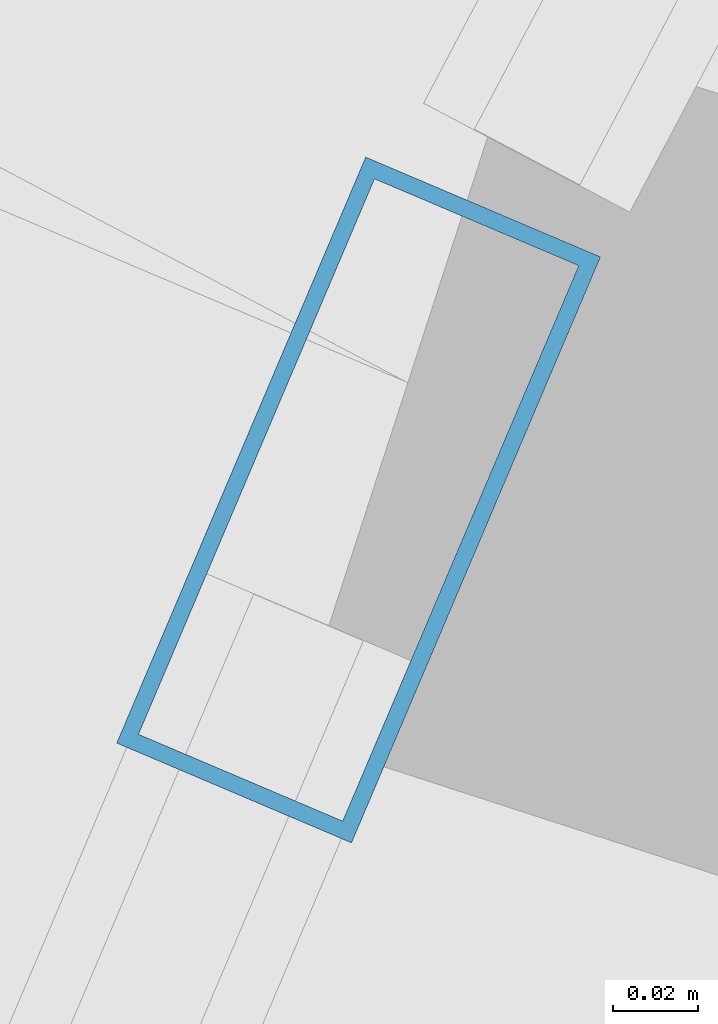
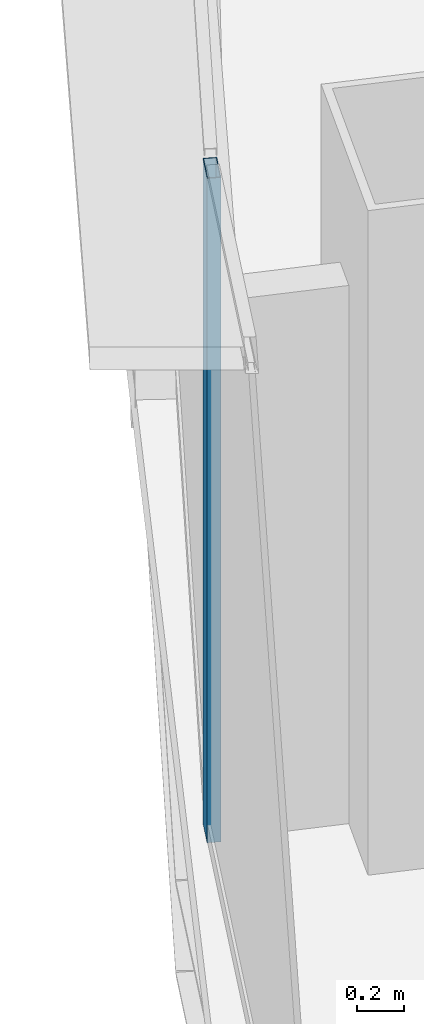
# One storey, part 8 of 39: 1 member, 1 element without a shape of its own.
"""IFC4 building model written with IfcOpenShell, lengths in metres."""

from ifc_helpers import new_model, si_unit, direction, frame, origin, origin_2d, place, context, subcontext, project, spatial, hollow_rectangle, extrude, source, transform, mapped, material, layer, layer_set, material_profile, profile_set, type_object, element, aggregate, save


model = new_model("IFC4")

# Units and contexts
model_context = context("Model", 3, precision=1e-05, world=origin(), true_north=direction((0.0, 1.0)))
body_context = subcontext(model_context, "Body", "Model", "MODEL_VIEW")
ifc_project = project(units=[si_unit("LENGTHUNIT", "METRE"), si_unit("AREAUNIT", "SQUARE_METRE"), si_unit("VOLUMEUNIT", "CUBIC_METRE"), si_unit("PLANEANGLEUNIT", "RADIAN"), si_unit("MASSUNIT", "GRAM", prefix="KILO"), si_unit("THERMODYNAMICTEMPERATUREUNIT", "KELVIN"), si_unit("POWERUNIT", "WATT")], contexts=[model_context])

# Site, building, storey
site_placement = place(None, origin())
site = spatial("IfcSite", under=ifc_project, at=site_placement, CompositionType="ELEMENT")
building_placement = place(site_placement, origin())
building = spatial("IfcBuilding", under=site, at=building_placement, Name="Yunzhuo Pagoda Commons", CompositionType="ELEMENT")
storey_placement = place(building_placement, frame((0.0, 0.0, 162.949951171875)))
storey = spatial("IfcBuildingStorey", under=building, at=storey_placement, Name="L41", CompositionType="ELEMENT", Elevation=162.949951171875)

# Curtain wall, member
ifc_material = material(Name="Anodized aluminium 6063-T6", Category="aluminium")
ifc_layer = layer(ifc_material, 0.14990234375)
ifc_layer_set = layer_set([ifc_layer], Name="Anodized aluminium 6063-T6")
curtain_wall_type = type_object("IfcCurtainWallType", Name="CW-MID Mid-Zone Ribbon Curtain Wall", PredefinedType="NOTDEFINED", material=ifc_layer_set)
curtain_wall_placement = place(storey_placement, origin())
curtain_wall = element("IfcCurtainWall", 1, at=curtain_wall_placement, inside=storey, type_object=curtain_wall_type, Name="L41 curtain wall CW-L41-F3B4", PredefinedType="NOTDEFINED")
ifc_material_profile = material_profile(ifc_material, hollow_rectangle(XDim=0.06005859375, YDim=0.14990234375, WallThickness=0.00390625, at=origin_2d()), Name="Anodized aluminium 6063-T6")
ifc_profile_set = profile_set([ifc_material_profile], Name="Anodized aluminium 6063-T6")
member_type = type_object("IfcMemberType", Name="CW-MID-M Mullion RHS 150x60x4", PredefinedType="MULLION", material=ifc_profile_set)
shared_shape = source(origin(), body_context, "Body", "SweptSolid", [
    extrude(hollow_rectangle(XDim=0.06005859375, YDim=0.14990234375, WallThickness=0.00390625, at=origin_2d()), origin(), (0.0, 0.0, 1.0), 3.420166015625),
])
member_placement = place(storey_placement, frame((17.074462890625, 43.717041015625, 0.0), z_axis=(0.0, 0.0, 1.0), x_axis=(0.920363798122, -0.391063267395, 0.0)))
member = element("IfcMember", 2, at=member_placement, type_object=member_type, Name="CW mullion 1", PredefinedType="MULLION", context=body_context, shape_type="MappedRepresentation", body=[
    mapped(shared_shape, transform((0.0, 0.0, 0.0), scale=1.0)),
])
aggregate(curtain_wall, [member])

save(model, "model.ifc")
